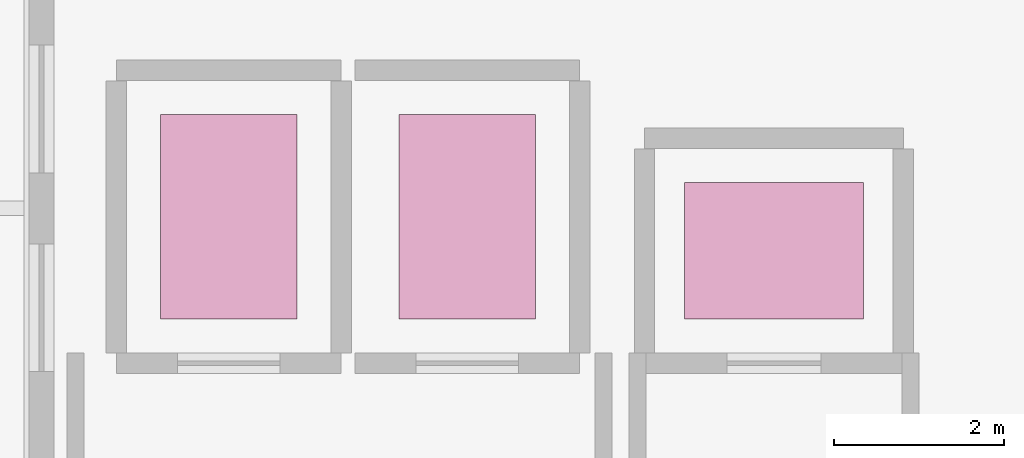
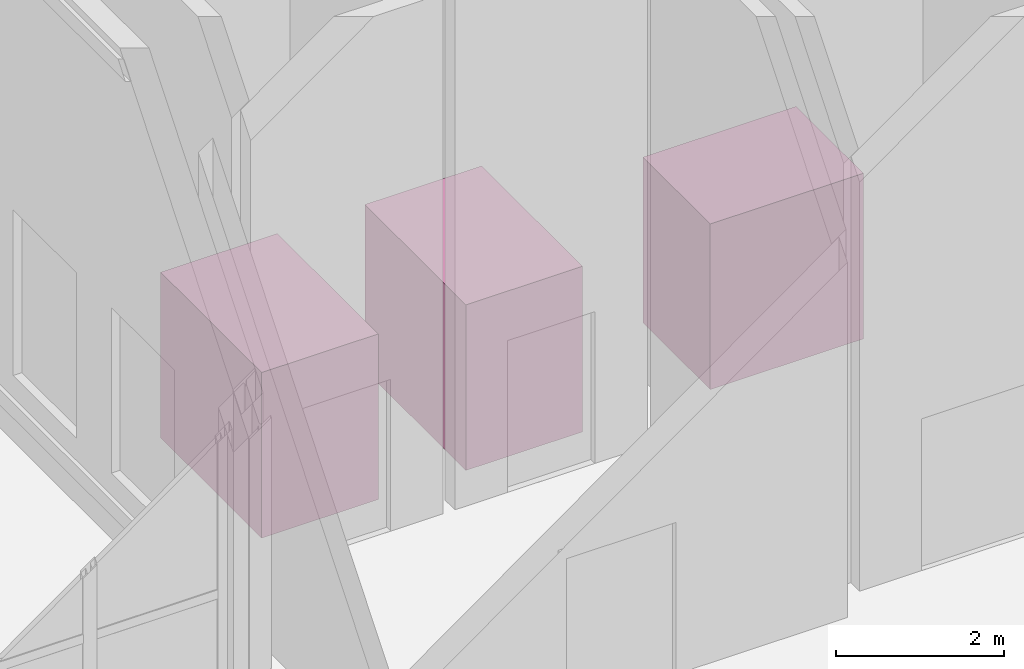
# One storey, part 176 of 176: 3 transport elements.
"""IFC4 building model written with IfcOpenShell, lengths in metres."""

from ifc_helpers import new_model, si_unit, direction, frame, origin, origin_2d, place, context, subcontext, project, spatial, rectangle, extrude, material, type_object, element, save


model = new_model("IFC4")

# Units and contexts
model_context = context("Model", 3, precision=1e-05, world=origin(), true_north=direction((0.0, 1.0)))
body_context = subcontext(model_context, "Body", "Model", "MODEL_VIEW")
ifc_project = project(units=[si_unit("LENGTHUNIT", "METRE"), si_unit("AREAUNIT", "SQUARE_METRE"), si_unit("VOLUMEUNIT", "CUBIC_METRE"), si_unit("PLANEANGLEUNIT", "RADIAN"), si_unit("MASSUNIT", "GRAM", prefix="KILO")], contexts=[model_context])

# Site, building, storey
site_placement = place(None, origin())
site = spatial("IfcSite", under=ifc_project, at=site_placement, CompositionType="ELEMENT")
building_placement = place(site_placement, origin())
building = spatial("IfcBuilding", under=site, at=building_placement, Name="Vekula Escarpment Museum", CompositionType="ELEMENT")
storey_placement = place(building_placement, origin())
storey = spatial("IfcBuildingStorey", under=building, at=storey_placement, Name="L01", CompositionType="ELEMENT", Elevation=0.0)

# Transport elements
ifc_material_1 = material(Name="Stainless steel firefighting lift car", Category="steel")
transport_element_type_1 = type_object("IfcTransportElementType", Name="LIFT-FF-1600", PredefinedType="ELEVATOR", material=ifc_material_1)
for number, where, z_axis, x_axis, name in (
    (1, (169.199951171875, 79.800048828125, 0.0), (0.0, 0.0, 1.0), (1.0, 0.0, 0.0), "Firefighting Lift LF-01"),
    (2, (172.0, 79.800048828125, 0.0), (0.0, 0.0, 1.0), (1.0, 0.0, 0.0), "Firefighting Lift LF-02"),
):
    element("IfcTransportElement", number, at=place(storey_placement, frame(where, z_axis=z_axis, x_axis=x_axis)), inside=storey, type_object=transport_element_type_1, Name=name, PredefinedType="ELEVATOR", context=body_context, shape_type="SweptSolid", body=[
        extrude(rectangle(XDim=1.60009765625, YDim=2.39990234375, at=origin_2d()), origin(), (0.0, 0.0, 1.0), 2.39990234375),
    ])
ifc_material_2 = material(Name="Brushed stainless steel lift car", Category="steel")
transport_element_type_2 = type_object("IfcTransportElementType", Name="LIFT-PAX-1600", PredefinedType="ELEVATOR", material=ifc_material_2)
transport_element_placement = place(storey_placement, frame((175.60009765625, 79.39990234375, 0.0), z_axis=(0.0, 0.0, 1.0), x_axis=(1.0, 0.0, 0.0)))
element("IfcTransportElement", 3, at=transport_element_placement, inside=storey, type_object=transport_element_type_2, Name="East Gallery Passenger Lift LP-03", PredefinedType="ELEVATOR", context=body_context, shape_type="SweptSolid", body=[
    extrude(rectangle(XDim=2.10009765625, YDim=1.60009765625, at=origin_2d()), origin(), (0.0, 0.0, 1.0), 2.39990234375),
])

save(model, "model.ifc")
